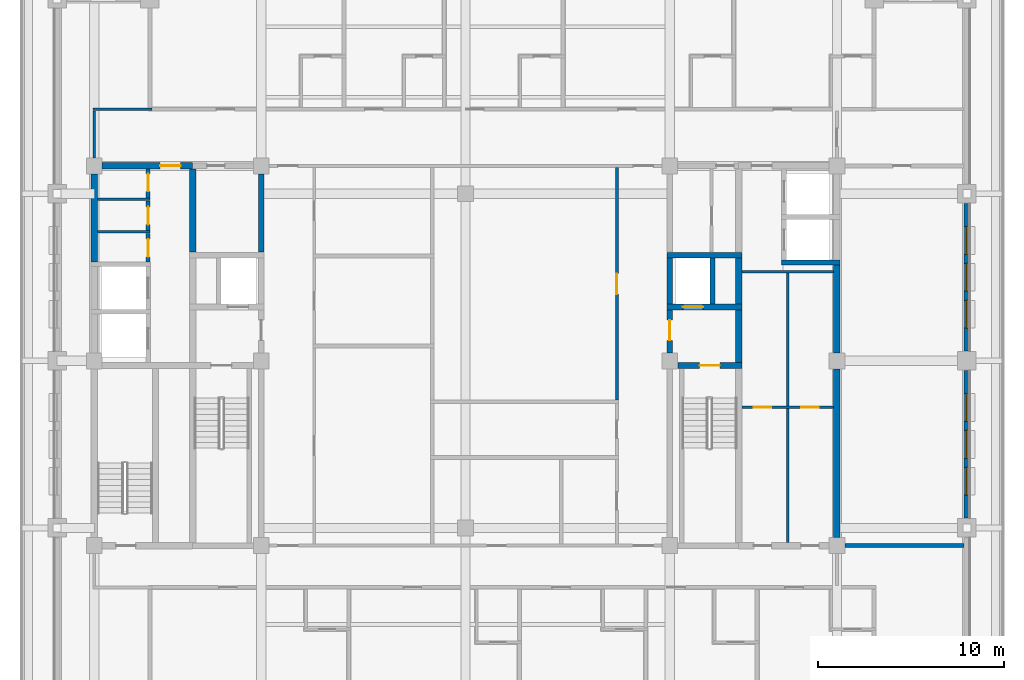
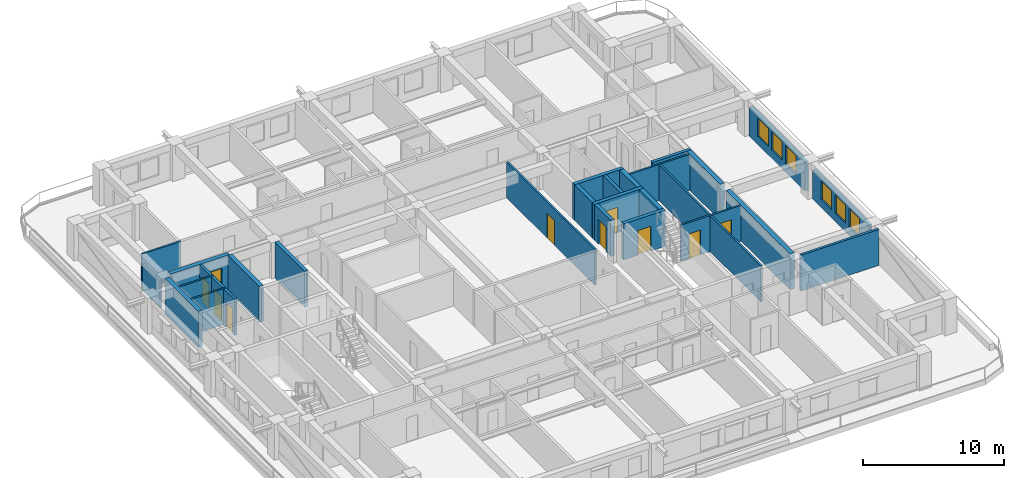
# One storey, part 5 of 15: 30 walls, 10 doors, 6 windows, 16 openings.
"""IFC4 building model written with IfcOpenShell, lengths in metres."""

from ifc_helpers import new_model, si_unit, direction, frame, frame_2d, origin, place, context, subcontext, project, spatial, rectangle, extrude, material, layer, layer_set, type_object, element, fill, save


model = new_model("IFC4")

# Units and contexts
model_context = context("Model", 3, precision=1e-05, world=origin(), true_north=direction((0.0, 1.0)))
body_context = subcontext(model_context, "Body", "Model", "MODEL_VIEW")
ifc_project = project(units=[si_unit("LENGTHUNIT", "METRE"), si_unit("AREAUNIT", "SQUARE_METRE"), si_unit("VOLUMEUNIT", "CUBIC_METRE"), si_unit("PLANEANGLEUNIT", "RADIAN"), si_unit("MASSUNIT", "GRAM", prefix="KILO")], contexts=[model_context])

# Site, building, storey
site_placement = place(None, origin())
site = spatial("IfcSite", under=ifc_project, at=site_placement, CompositionType="ELEMENT")
building_placement = place(site_placement, origin())
building = spatial("IfcBuilding", under=site, at=building_placement, Name="Zulmaris Gate Convention Tower", CompositionType="ELEMENT")
storey_placement = place(building_placement, frame((0.0, 0.0, 172.85986328125)))
storey = spatial("IfcBuildingStorey", under=building, at=storey_placement, Name="L44", CompositionType="ELEMENT", Elevation=172.85986328125)

# Walls
ifc_material_1 = material(Name="Concrete C50/60", Category="concrete")
ifc_layer_1 = layer(ifc_material_1, 0.25, Name="Concrete C50/60")
ifc_layer_set_1 = layer_set([ifc_layer_1], Name="Concrete C50/60")
wall_type_1 = type_object("IfcWallType", Name="CORE-250", PredefinedType="SOLIDWALL", material=ifc_layer_set_1)
wall_1_placement = place(storey_placement, frame((17.02490234375, 5.300048828125, 0.0), z_axis=(0.0, 0.0, 1.0), x_axis=(1.0, 0.0, 0.0)))
element("IfcWall", 1, at=wall_1_placement, inside=storey, type_object=wall_type_1, Name="WL-L44-011", PredefinedType="SOLIDWALL", context=body_context, shape_type="SweptSolid", body=[
    extrude(rectangle(XDim=3.150146484375, YDim=0.25, at=frame_2d((1.5751953125, 0.0))), origin(), (0.0, 0.0, 1.0), 3.125),
])
wall_2_placement = place(storey_placement, frame((13.300048828125, 3.052001953125, 0.0), z_axis=(0.0, 0.0, 1.0), x_axis=(0.0, 1.0, 0.0)))
element("IfcWall", 2, at=wall_2_placement, inside=storey, type_object=wall_type_1, Name="WL-L44-068", PredefinedType="SOLIDWALL", context=body_context, shape_type="SweptSolid", body=[
    extrude(rectangle(XDim=2.49609375, YDim=0.25, at=frame_2d((1.248046875, 0.0))), origin(), (0.0, 0.0, 1.0), 3.125),
])

# Wall, opening, door
ifc_layer_2 = layer(ifc_material_1, 0.300048828125, Name="Concrete C50/60")
ifc_layer_set_2 = layer_set([ifc_layer_2], Name="Concrete C50/60")
wall_type_2 = type_object("IfcWallType", Name="CORE-300", PredefinedType="SHEAR", material=ifc_layer_set_2)
wall_3_placement = place(storey_placement, frame((11.428955078125, -0.25, 0.0), z_axis=(0.0, 0.0, 1.0), x_axis=(1.0, 0.0, 0.0)))
wall_3 = element("IfcWall", 3, at=wall_3_placement, inside=storey, type_object=wall_type_2, Name="WL-L44-006", PredefinedType="SHEAR", context=body_context, shape_type="SweptSolid", body=[
    extrude(rectangle(XDim=3.446044921875, YDim=0.300048828125, at=frame_2d((1.72314453125, 0.0))), origin(), (0.0, 0.0, 1.0), 3.125),
])
opening_1_placement = place(wall_3_placement, frame((1.1708984375, 0.0, 0.0)))
opening_1 = element("IfcOpeningElement", 4, at=opening_1_placement, cuts=wall_3, Name="Opening D-08", PredefinedType="OPENING", context=body_context, shape_type="SweptSolid", body=[
    extrude(rectangle(XDim=1.10009765625, YDim=2.14990234375, at=frame_2d((0.550048828125, 1.074951171875))), frame((0.0, 0.16015625, 0.0), z_axis=(0.0, -1.0, 0.0), x_axis=(1.0, 0.0, 0.0)), (0.0, 0.0, 1.0), 0.320068359375),
])
ifc_material_2 = material(Name="Fire-Rated Steel", Category="steel")
door_type_1 = type_object("IfcDoorType", Name="DR-1100-FD", OperationType="NOTDEFINED", PredefinedType="DOOR", material=ifc_material_2)
door_1_placement = place(opening_1_placement, origin())
door_1 = element("IfcDoor", 5, at=door_1_placement, inside=storey, type_object=door_type_1, Name="L44 Exit Stair ST-2 Door 04", OperationType="SINGLE_SWING_RIGHT", OverallHeight=2.14990234375, OverallWidth=1.10009765625, PredefinedType="DOOR", context=body_context, shape_type="SweptSolid", body=[
    extrude(rectangle(XDim=1.10009765625, YDim=2.14990234375, at=frame_2d((0.550048828125, 1.074951171875))), frame((0.0, 0.02490234375, 0.0), z_axis=(0.0, -1.0, 0.0), x_axis=(1.0, 0.0, 0.0)), (0.0, 0.0, 1.0), 0.050048828125),
])
fill(opening_1, door_1)

wall_4_placement = place(storey_placement, frame((10.85009765625, 2.89990234375, 0.0), z_axis=(0.0, 0.0, 1.0), x_axis=(1.0, 0.0, 0.0)))
wall_4 = element("IfcWall", 6, at=wall_4_placement, inside=storey, type_object=wall_type_2, Name="WL-L44-009", PredefinedType="SHEAR", context=body_context, shape_type="SweptSolid", body=[
    extrude(rectangle(XDim=4.02490234375, YDim=0.300048828125, at=frame_2d((2.012451171875, 0.0))), origin(), (0.0, 0.0, 1.0), 3.125),
])
opening_2_placement = place(wall_4_placement, frame((0.85009765625, 0.0, 0.0)))
opening_2 = element("IfcOpeningElement", 7, at=opening_2_placement, cuts=wall_4, Name="Opening D-06", PredefinedType="OPENING", context=body_context, shape_type="SweptSolid", body=[
    extrude(rectangle(XDim=1.10009765625, YDim=2.199951171875, at=frame_2d((0.550048828125, 1.10009765625))), frame((0.0, 0.16015625, 0.0), z_axis=(0.0, -1.0, 0.0), x_axis=(1.0, 0.0, 0.0)), (0.0, 0.0, 1.0), 0.320068359375),
])
ifc_material_3 = material(Name="Brushed Stainless Steel", Category="steel")
door_type_2 = type_object("IfcDoorType", Name="LD-1100", OperationType="NOTDEFINED", PredefinedType="DOOR", material=ifc_material_3)
door_2_placement = place(opening_2_placement, origin())
door_2 = element("IfcDoor", 8, at=door_2_placement, inside=storey, type_object=door_type_2, Name="L44 Lift Landing Door LF-02 06", OperationType="SLIDING_TO_RIGHT", OverallHeight=2.199951171875, OverallWidth=1.10009765625, PredefinedType="DOOR", context=body_context, shape_type="SweptSolid", body=[
    extrude(rectangle(XDim=1.10009765625, YDim=2.199951171875, at=frame_2d((0.550048828125, 1.10009765625))), frame((0.0, 0.02490234375, 0.0), z_axis=(0.0, -1.0, 0.0), x_axis=(1.0, 0.0, 0.0)), (0.0, 0.0, 1.0), 0.050048828125),
])
fill(opening_2, door_2)

# Walls
wall_5_placement = place(storey_placement, frame((10.85009765625, 5.699951171875, 0.0), z_axis=(0.0, 0.0, 1.0), x_axis=(1.0, 0.0, 0.0)))
element("IfcWall", 9, at=wall_5_placement, inside=storey, type_object=wall_type_2, Name="WL-L44-013", PredefinedType="SHEAR", context=body_context, shape_type="SweptSolid", body=[
    extrude(rectangle(XDim=4.02490234375, YDim=0.300048828125, at=frame_2d((2.012451171875, 0.0))), origin(), (0.0, 0.0, 1.0), 3.125),
])
wall_6_placement = place(storey_placement, frame((-11.0, 5.85205078125, 0.0), z_axis=(0.0, 0.0, 1.0), x_axis=(0.0, 1.0, 0.0)))
element("IfcWall", 10, at=wall_6_placement, inside=storey, type_object=wall_type_2, Name="WL-L44-062", PredefinedType="SHEAR", context=body_context, shape_type="SweptSolid", body=[
    extrude(rectangle(XDim=4.218994140625, YDim=0.300048828125, at=frame_2d((2.109375, 0.0))), origin(), (0.0, 0.0, 1.0), 3.125),
])

# Wall, opening, door
wall_7_placement = place(storey_placement, frame((11.0, 0.428955078125, 0.0), z_axis=(0.0, 0.0, 1.0), x_axis=(0.0, 1.0, 0.0)))
wall_7 = element("IfcWall", 11, at=wall_7_placement, inside=storey, type_object=wall_type_2, Name="WL-L44-064", PredefinedType="SHEAR", context=body_context, shape_type="SweptSolid", body=[
    extrude(rectangle(XDim=2.319091796875, YDim=0.300048828125, at=frame_2d((1.15966796875, 0.0))), origin(), (0.0, 0.0, 1.0), 3.125),
])
opening_3_placement = place(wall_7_placement, frame((0.6708984375, 0.0, 0.0)))
opening_3 = element("IfcOpeningElement", 12, at=opening_3_placement, cuts=wall_7, Name="Opening D-08", PredefinedType="OPENING", context=body_context, shape_type="SweptSolid", body=[
    extrude(rectangle(XDim=1.10009765625, YDim=2.14990234375, at=frame_2d((0.550048828125, 1.074951171875))), frame((0.0, 0.16015625, 0.0), z_axis=(0.0, -1.0, 0.0), x_axis=(1.0, 0.0, 0.0)), (0.0, 0.0, 1.0), 0.320068359375),
])
door_3_placement = place(opening_3_placement, origin())
door_3 = element("IfcDoor", 13, at=door_3_placement, inside=storey, type_object=door_type_1, Name="L44 East Firefighting Lobby Door 05", OperationType="SINGLE_SWING_LEFT", OverallHeight=2.14990234375, OverallWidth=1.10009765625, PredefinedType="DOOR", context=body_context, shape_type="SweptSolid", body=[
    extrude(rectangle(XDim=1.10009765625, YDim=2.14990234375, at=frame_2d((0.550048828125, 1.074951171875))), frame((0.0, 0.02490234375, 0.0), z_axis=(0.0, -1.0, 0.0), x_axis=(1.0, 0.0, 0.0)), (0.0, 0.0, 1.0), 0.050048828125),
])
fill(opening_3, door_3)

# Wall
wall_8_placement = place(storey_placement, frame((11.0, 3.052001953125, 0.0), z_axis=(0.0, 0.0, 1.0), x_axis=(0.0, 1.0, 0.0)))
element("IfcWall", 14, at=wall_8_placement, inside=storey, type_object=wall_type_2, Name="WL-L44-065", PredefinedType="SHEAR", context=body_context, shape_type="SweptSolid", body=[
    extrude(rectangle(XDim=2.49609375, YDim=0.300048828125, at=frame_2d((1.248046875, 0.0))), origin(), (0.0, 0.0, 1.0), 3.125),
])

# Wall, opening, door
ifc_material_4 = material(Name="Concrete C55/67", Category="concrete")
ifc_layer_3 = layer(ifc_material_4, 0.35009765625, Name="Concrete C55/67")
ifc_layer_set_3 = layer_set([ifc_layer_3], Name="Concrete C55/67")
wall_type_3 = type_object("IfcWallType", Name="CORE-350", PredefinedType="SHEAR", material=ifc_layer_set_3)
wall_9_placement = place(storey_placement, frame((-19.571044921875, 10.5, 0.0), z_axis=(0.0, 0.0, 1.0), x_axis=(1.0, 0.0, 0.0)))
wall_9 = element("IfcWall", 15, at=wall_9_placement, inside=storey, type_object=wall_type_3, Name="WL-L44-015", PredefinedType="SHEAR", context=body_context, shape_type="SweptSolid", body=[
    extrude(rectangle(XDim=4.87109375, YDim=0.35009765625, at=frame_2d((2.435546875, 0.0))), origin(), (0.0, 0.0, 1.0), 3.125),
])
opening_4_placement = place(wall_9_placement, frame((3.12109375, 0.0, 0.0)))
opening_4 = element("IfcOpeningElement", 16, at=opening_4_placement, cuts=wall_9, Name="Opening D-08", PredefinedType="OPENING", context=body_context, shape_type="SweptSolid", body=[
    extrude(rectangle(XDim=1.10009765625, YDim=2.14990234375, at=frame_2d((0.550048828125, 1.074951171875))), frame((0.0, 0.18505859375, 0.0), z_axis=(0.0, -1.0, 0.0), x_axis=(1.0, 0.0, 0.0)), (0.0, 0.0, 1.0), 0.3701171875),
])
door_4_placement = place(opening_4_placement, origin())
door_4 = element("IfcDoor", 17, at=door_4_placement, inside=storey, type_object=door_type_1, Name="L44 High-Rise West Lift Lobby Door 13", OperationType="SINGLE_SWING_RIGHT", OverallHeight=2.14990234375, OverallWidth=1.10009765625, PredefinedType="DOOR", context=body_context, shape_type="SweptSolid", body=[
    extrude(rectangle(XDim=1.10009765625, YDim=2.14990234375, at=frame_2d((0.550048828125, 1.074951171875))), frame((0.0, 0.02490234375, 0.0), z_axis=(0.0, -1.0, 0.0), x_axis=(1.0, 0.0, 0.0)), (0.0, 0.0, 1.0), 0.050048828125),
])
fill(opening_4, door_4)

# Walls
wall_10_placement = place(storey_placement, frame((-20.0, 5.326904296875, 0.0), z_axis=(0.0, 0.0, 1.0), x_axis=(0.0, 1.0, 0.0)))
element("IfcWall", 18, at=wall_10_placement, inside=storey, type_object=wall_type_3, Name="WL-L44-049", PredefinedType="SHEAR", context=body_context, shape_type="SweptSolid", body=[
    extrude(rectangle(XDim=4.744140625, YDim=0.35009765625, at=frame_2d((2.3720703125, 0.0))), origin(), (0.0, 0.0, 1.0), 3.125),
])
wall_11_placement = place(storey_placement, frame((-14.699951171875, 5.85205078125, 0.0), z_axis=(0.0, 0.0, 1.0), x_axis=(0.0, 1.0, 0.0)))
element("IfcWall", 19, at=wall_11_placement, inside=storey, type_object=wall_type_3, Name="WL-L44-056", PredefinedType="SHEAR", context=body_context, shape_type="SweptSolid", body=[
    extrude(rectangle(XDim=4.470947265625, YDim=0.35009765625, at=frame_2d((2.2353515625, 0.0))), origin(), (0.0, 0.0, 1.0), 3.125),
])
wall_12_placement = place(storey_placement, frame((14.699951171875, -0.097900390625, 0.0), z_axis=(0.0, 0.0, 1.0), x_axis=(0.0, 1.0, 0.0)))
element("IfcWall", 20, at=wall_12_placement, inside=storey, type_object=wall_type_3, Name="WL-L44-070", PredefinedType="SHEAR", context=body_context, shape_type="SweptSolid", body=[
    extrude(rectangle(XDim=2.845947265625, YDim=0.35009765625, at=frame_2d((1.4228515625, 0.0))), origin(), (0.0, 0.0, 1.0), 3.125),
])
wall_13_placement = place(storey_placement, frame((14.699951171875, 3.052001953125, 0.0), z_axis=(0.0, 0.0, 1.0), x_axis=(0.0, 1.0, 0.0)))
element("IfcWall", 21, at=wall_13_placement, inside=storey, type_object=wall_type_3, Name="WL-L44-071", PredefinedType="SHEAR", context=body_context, shape_type="SweptSolid", body=[
    extrude(rectangle(XDim=2.49609375, YDim=0.35009765625, at=frame_2d((1.248046875, 0.0))), origin(), (0.0, 0.0, 1.0), 3.125),
])
wall_14_placement = place(storey_placement, frame((20.0, -9.52099609375, 0.0), z_axis=(0.0, 0.0, 1.0), x_axis=(0.0, 1.0, 0.0)))
element("IfcWall", 22, at=wall_14_placement, inside=storey, type_object=wall_type_3, Name="WL-L44-075", PredefinedType="SHEAR", context=body_context, shape_type="SweptSolid", body=[
    extrude(rectangle(XDim=9.092041015625, YDim=0.35009765625, at=frame_2d((4.5458984375, 0.0))), origin(), (0.0, 0.0, 1.0), 3.125),
])
wall_15_placement = place(storey_placement, frame((20.0, 0.428955078125, 0.0), z_axis=(0.0, 0.0, 1.0), x_axis=(0.0, 1.0, 0.0)))
element("IfcWall", 23, at=wall_15_placement, inside=storey, type_object=wall_type_3, Name="WL-L44-075S1", PredefinedType="SHEAR", context=body_context, shape_type="SweptSolid", body=[
    extrude(rectangle(XDim=4.744140625, YDim=0.35009765625, at=frame_2d((2.3720703125, 0.0))), origin(), (0.0, 0.0, 1.0), 3.125),
])

# Wall, openings, doors
ifc_material_5 = material(Name="Gypsum Metal Stud Partition")
ifc_layer_4 = layer(ifc_material_5, 0.14990234375, Name="Gypsum Metal Stud Partition")
ifc_layer_set_4 = layer_set([ifc_layer_4], Name="Gypsum Metal Stud Partition")
wall_type_4 = type_object("IfcWallType", Name="PART-150", PredefinedType="PARTITIONING", material=ifc_layer_set_4)
wall_16_placement = place(storey_placement, frame((14.8779296875, -2.5, 0.0), z_axis=(0.0, 0.0, 1.0), x_axis=(1.0, 0.0, 0.0)))
wall_16 = element("IfcWall", 24, at=wall_16_placement, inside=storey, type_object=wall_type_4, Name="WL-L44-029", PredefinedType="PARTITIONING", context=body_context, shape_type="SweptSolid", body=[
    extrude(rectangle(XDim=4.944091796875, YDim=0.14990234375, at=frame_2d((2.47216796875, 0.0))), origin(), (0.0, 0.0, 1.0), 3.125),
])
opening_5_placement = place(wall_16_placement, frame((0.64697265625, 0.0, 0.0)))
opening_5 = element("IfcOpeningElement", 25, at=opening_5_placement, cuts=wall_16, Name="Opening D-11", PredefinedType="OPENING", context=body_context, shape_type="SweptSolid", body=[
    extrude(rectangle(XDim=0.949951171875, YDim=2.14990234375, at=frame_2d((0.47509765625, 1.074951171875))), frame((0.0, 0.0849609375, 0.0), z_axis=(0.0, -1.0, 0.0), x_axis=(1.0, 0.0, 0.0)), (0.0, 0.0, 1.0), 0.169921875),
])
opening_6_placement = place(wall_16_placement, frame((3.197021484375, 0.0, 0.0)))
opening_6 = element("IfcOpeningElement", 26, at=opening_6_placement, cuts=wall_16, Name="Opening D-11", PredefinedType="OPENING", context=body_context, shape_type="SweptSolid", body=[
    extrude(rectangle(XDim=0.949951171875, YDim=2.14990234375, at=frame_2d((0.47509765625, 1.074951171875))), frame((0.0, 0.0849609375, 0.0), z_axis=(0.0, -1.0, 0.0), x_axis=(1.0, 0.0, 0.0)), (0.0, 0.0, 1.0), 0.169921875),
])
ifc_material_6 = material(Name="Fire-Rated Timber", Category="wood")
door_type_3 = type_object("IfcDoorType", Name="DR-950-FD", OperationType="NOTDEFINED", PredefinedType="DOOR", material=ifc_material_6)
door_5_placement = place(opening_5_placement, origin())
door_5 = element("IfcDoor", 27, at=door_5_placement, inside=storey, type_object=door_type_3, Name="L44 Locker Store Door 21", OperationType="SINGLE_SWING_RIGHT", OverallHeight=2.14990234375, OverallWidth=0.949951171875, PredefinedType="DOOR", context=body_context, shape_type="SweptSolid", body=[
    extrude(rectangle(XDim=0.949951171875, YDim=2.14990234375, at=frame_2d((0.47509765625, 1.074951171875))), frame((0.0, 0.02490234375, 0.0), z_axis=(0.0, -1.0, 0.0), x_axis=(1.0, 0.0, 0.0)), (0.0, 0.0, 1.0), 0.050048828125),
])
fill(opening_5, door_5)
door_6_placement = place(opening_6_placement, origin())
door_6 = element("IfcDoor", 28, at=door_6_placement, inside=storey, type_object=door_type_3, Name="L44 Ice Store Door 23", OperationType="SINGLE_SWING_RIGHT", OverallHeight=2.14990234375, OverallWidth=0.949951171875, PredefinedType="DOOR", context=body_context, shape_type="SweptSolid", body=[
    extrude(rectangle(XDim=0.949951171875, YDim=2.14990234375, at=frame_2d((0.47509765625, 1.074951171875))), frame((0.0, 0.02490234375, 0.0), z_axis=(0.0, -1.0, 0.0), x_axis=(1.0, 0.0, 0.0)), (0.0, 0.0, 1.0), 0.050048828125),
])
fill(opening_6, door_6)

# Walls
wall_17_placement = place(storey_placement, frame((14.8779296875, 4.800048828125, 0.0), z_axis=(0.0, 0.0, 1.0), x_axis=(1.0, 0.0, 0.0)))
element("IfcWall", 29, at=wall_17_placement, inside=storey, type_object=wall_type_4, Name="WL-L44-032", PredefinedType="PARTITIONING", context=body_context, shape_type="SweptSolid", body=[
    extrude(rectangle(XDim=4.944091796875, YDim=0.14990234375, at=frame_2d((2.47216796875, 0.0))), origin(), (0.0, 0.0, 1.0), 3.125),
])
for number, where, z_axis, x_axis, name in (
    (30, (-19.822021484375, 6.949951171875, 0.0), (0.0, 0.0, 1.0), (1.0, 0.0, 0.0), "WL-L44-034"),
    (31, (-19.822021484375, 8.699951171875, 0.0), (0.0, 0.0, 1.0), (1.0, 0.0, 0.0), "WL-L44-035"),
):
    element("IfcWall", number, at=place(storey_placement, frame(where, z_axis=z_axis, x_axis=x_axis)), inside=storey, type_object=wall_type_4, Name=name, PredefinedType="PARTITIONING", context=body_context, shape_type="SweptSolid", body=[
        extrude(rectangle(XDim=2.822021484375, YDim=0.14990234375, at=frame_2d((1.4111328125, 0.0))), origin(), (0.0, 0.0, 1.0), 3.125),
    ])
wall_18_placement = place(storey_placement, frame((-20.074951171875, 13.550048828125, 0.0), z_axis=(0.0, 0.0, 1.0), x_axis=(1.0, 0.0, 0.0)))
element("IfcWall", 32, at=wall_18_placement, inside=storey, type_object=wall_type_4, Name="WL-L44-038", PredefinedType="PARTITIONING", context=body_context, shape_type="SweptSolid", body=[
    extrude(rectangle(XDim=3.175048828125, YDim=0.14990234375, at=frame_2d((1.58740234375, 0.0))), origin(), (0.0, 0.0, 1.0), 3.125),
])
wall_19_placement = place(storey_placement, frame((-20.0, 10.930908203125, 0.0), z_axis=(0.0, 0.0, 1.0), x_axis=(0.0, 1.0, 0.0)))
element("IfcWall", 33, at=wall_19_placement, inside=storey, type_object=wall_type_4, Name="WL-L44-079", PredefinedType="PARTITIONING", context=body_context, shape_type="SweptSolid", body=[
    extrude(rectangle(XDim=2.541015625, YDim=0.14990234375, at=frame_2d((1.2705078125, 0.0))), origin(), (0.0, 0.0, 1.0), 2.31689453125),
])

# Wall, opening, door
wall_20_placement = place(storey_placement, frame((8.14990234375, -2.096923828125, 0.0), z_axis=(0.0, 0.0, 1.0), x_axis=(0.0, 1.0, 0.0)))
wall_20 = element("IfcWall", 34, at=wall_20_placement, inside=storey, type_object=wall_type_4, Name="WL-L44-112", PredefinedType="PARTITIONING", context=body_context, shape_type="SweptSolid", body=[
    extrude(rectangle(XDim=12.51904296875, YDim=0.14990234375, at=frame_2d((6.259521484375, 0.0))), origin(), (0.0, 0.0, 1.0), 3.125),
])
opening_7_placement = place(wall_20_placement, frame((5.697021484375, 0.0, 0.0)))
opening_7 = element("IfcOpeningElement", 35, at=opening_7_placement, cuts=wall_20, Name="Opening D-08", PredefinedType="OPENING", context=body_context, shape_type="SweptSolid", body=[
    extrude(rectangle(XDim=1.10009765625, YDim=2.14990234375, at=frame_2d((0.550048828125, 1.074951171875))), frame((0.0, 0.0849609375, 0.0), z_axis=(0.0, -1.0, 0.0), x_axis=(1.0, 0.0, 0.0)), (0.0, 0.0, 1.0), 0.169921875),
])
door_7_placement = place(opening_7_placement, origin())
door_7 = element("IfcDoor", 36, at=door_7_placement, inside=storey, type_object=door_type_1, Name="L44 Breakout Room Door 51", OperationType="SINGLE_SWING_RIGHT", OverallHeight=2.14990234375, OverallWidth=1.10009765625, PredefinedType="DOOR", context=body_context, shape_type="SweptSolid", body=[
    extrude(rectangle(XDim=1.10009765625, YDim=2.14990234375, at=frame_2d((0.550048828125, 1.074951171875))), frame((0.0, 0.02490234375, 0.0), z_axis=(0.0, -1.0, 0.0), x_axis=(1.0, 0.0, 0.0)), (0.0, 0.0, 1.0), 0.050048828125),
])
fill(opening_7, door_7)

# Walls
wall_21_placement = place(storey_placement, frame((17.35009765625, -9.77197265625, 0.0), z_axis=(0.0, 0.0, 1.0), x_axis=(0.0, 1.0, 0.0)))
element("IfcWall", 37, at=wall_21_placement, inside=storey, type_object=wall_type_4, Name="WL-L44-122", PredefinedType="PARTITIONING", context=body_context, shape_type="SweptSolid", body=[
    extrude(rectangle(XDim=7.194091796875, YDim=0.14990234375, at=frame_2d((3.59716796875, 0.0))), origin(), (0.0, 0.0, 1.0), 3.125),
])
wall_22_placement = place(storey_placement, frame((17.35009765625, -2.422119140625, 0.0), z_axis=(0.0, 0.0, 1.0), x_axis=(0.0, 1.0, 0.0)))
element("IfcWall", 38, at=wall_22_placement, inside=storey, type_object=wall_type_4, Name="WL-L44-123", PredefinedType="PARTITIONING", context=body_context, shape_type="SweptSolid", body=[
    extrude(rectangle(XDim=7.14404296875, YDim=0.14990234375, at=frame_2d((3.572021484375, 0.0))), origin(), (0.0, 0.0, 1.0), 3.125),
])
ifc_material_7 = material(Name="Autoclaved Aerated Concrete Block and Plasterboard", Category="concrete")
ifc_layer_5 = layer(ifc_material_7, 0.199951171875, Name="Autoclaved Aerated Concrete Block and Plasterboard")
ifc_layer_set_5 = layer_set([ifc_layer_5], Name="Autoclaved Aerated Concrete Block and Plasterboard")
wall_type_5 = type_object("IfcWallType", Name="PART-200", PredefinedType="PARTITIONING", material=ifc_layer_set_5)
wall_23_placement = place(storey_placement, frame((20.430908203125, -9.949951171875, 0.0), z_axis=(0.0, 0.0, 1.0), x_axis=(1.0, 0.0, 0.0)))
element("IfcWall", 39, at=wall_23_placement, inside=storey, type_object=wall_type_5, Name="WL-L44-027", PredefinedType="PARTITIONING", context=body_context, shape_type="SweptSolid", body=[
    extrude(rectangle(XDim=6.404052734375, YDim=0.199951171875, at=frame_2d((3.2021484375, 0.0))), origin(), (0.0, 0.0, 1.0), 3.125),
])

# Wall, opening, door
wall_24_placement = place(storey_placement, frame((-17.10009765625, 5.327880859375, 0.0), z_axis=(0.0, 0.0, 1.0), x_axis=(0.0, 1.0, 0.0)))
wall_24 = element("IfcWall", 40, at=wall_24_placement, inside=storey, type_object=wall_type_5, Name="WL-L44-080", PredefinedType="PARTITIONING", context=body_context, shape_type="SweptSolid", body=[
    extrude(rectangle(XDim=1.544189453125, YDim=0.199951171875, at=frame_2d((0.77197265625, 0.0))), origin(), (0.0, 0.0, 1.0), 3.125),
])
opening_8_placement = place(wall_24_placement, frame((0.277099609375, 0.0, 0.0)))
opening_8 = element("IfcOpeningElement", 41, at=opening_8_placement, cuts=wall_24, Name="Opening D-11", PredefinedType="OPENING", context=body_context, shape_type="SweptSolid", body=[
    extrude(rectangle(XDim=0.949951171875, YDim=2.14990234375, at=frame_2d((0.47509765625, 1.074951171875))), frame((0.0, 0.10986328125, 0.0), z_axis=(0.0, -1.0, 0.0), x_axis=(1.0, 0.0, 0.0)), (0.0, 0.0, 1.0), 0.219970703125),
])
door_8_placement = place(opening_8_placement, origin())
door_8 = element("IfcDoor", 42, at=door_8_placement, inside=storey, type_object=door_type_3, Name="L44 Linen Closet Door 16", OperationType="SINGLE_SWING_LEFT", OverallHeight=2.14990234375, OverallWidth=0.949951171875, PredefinedType="DOOR", context=body_context, shape_type="SweptSolid", body=[
    extrude(rectangle(XDim=0.949951171875, YDim=2.14990234375, at=frame_2d((0.47509765625, 1.074951171875))), frame((0.0, 0.02490234375, 0.0), z_axis=(0.0, -1.0, 0.0), x_axis=(1.0, 0.0, 0.0)), (0.0, 0.0, 1.0), 0.050048828125),
])
fill(opening_8, door_8)

wall_25_placement = place(storey_placement, frame((-17.10009765625, 7.028076171875, 0.0), z_axis=(0.0, 0.0, 1.0), x_axis=(0.0, 1.0, 0.0)))
wall_25 = element("IfcWall", 43, at=wall_25_placement, inside=storey, type_object=wall_type_5, Name="WL-L44-081", PredefinedType="PARTITIONING", context=body_context, shape_type="SweptSolid", body=[
    extrude(rectangle(XDim=1.593994140625, YDim=0.199951171875, at=frame_2d((0.796875, 0.0))), origin(), (0.0, 0.0, 1.0), 3.125),
])
opening_9_placement = place(wall_25_placement, frame((0.31689453125, 0.0, 0.0)))
opening_9 = element("IfcOpeningElement", 44, at=opening_9_placement, cuts=wall_25, Name="Opening D-11", PredefinedType="OPENING", context=body_context, shape_type="SweptSolid", body=[
    extrude(rectangle(XDim=0.949951171875, YDim=2.14990234375, at=frame_2d((0.47509765625, 1.074951171875))), frame((0.0, 0.10986328125, 0.0), z_axis=(0.0, -1.0, 0.0), x_axis=(1.0, 0.0, 0.0)), (0.0, 0.0, 1.0), 0.219970703125),
])
door_9_placement = place(opening_9_placement, origin())
door_9 = element("IfcDoor", 45, at=door_9_placement, inside=storey, type_object=door_type_3, Name="L44 Ice Pantry Door 15", OperationType="SINGLE_SWING_RIGHT", OverallHeight=2.14990234375, OverallWidth=0.949951171875, PredefinedType="DOOR", context=body_context, shape_type="SweptSolid", body=[
    extrude(rectangle(XDim=0.949951171875, YDim=2.14990234375, at=frame_2d((0.47509765625, 1.074951171875))), frame((0.0, 0.02490234375, 0.0), z_axis=(0.0, -1.0, 0.0), x_axis=(1.0, 0.0, 0.0)), (0.0, 0.0, 1.0), 0.050048828125),
])
fill(opening_9, door_9)

wall_26_placement = place(storey_placement, frame((-17.10009765625, 8.778076171875, 0.0), z_axis=(0.0, 0.0, 1.0), x_axis=(0.0, 1.0, 0.0)))
wall_26 = element("IfcWall", 46, at=wall_26_placement, inside=storey, type_object=wall_type_5, Name="WL-L44-082", PredefinedType="PARTITIONING", context=body_context, shape_type="SweptSolid", body=[
    extrude(rectangle(XDim=1.5439453125, YDim=0.199951171875, at=frame_2d((0.77197265625, 0.0))), origin(), (0.0, 0.0, 1.0), 3.125),
])
opening_10_placement = place(wall_26_placement, frame((0.346923828125, 0.0, 0.0)))
opening_10 = element("IfcOpeningElement", 47, at=opening_10_placement, cuts=wall_26, Name="Opening D-11", PredefinedType="OPENING", context=body_context, shape_type="SweptSolid", body=[
    extrude(rectangle(XDim=0.949951171875, YDim=2.14990234375, at=frame_2d((0.47509765625, 1.074951171875))), frame((0.0, 0.10986328125, 0.0), z_axis=(0.0, -1.0, 0.0), x_axis=(1.0, 0.0, 0.0)), (0.0, 0.0, 1.0), 0.219970703125),
])
door_10_placement = place(opening_10_placement, origin())
door_10 = element("IfcDoor", 48, at=door_10_placement, inside=storey, type_object=door_type_3, Name="L44 Housekeeping Door 14", OperationType="SINGLE_SWING_LEFT", OverallHeight=2.14990234375, OverallWidth=0.949951171875, PredefinedType="DOOR", context=body_context, shape_type="SweptSolid", body=[
    extrude(rectangle(XDim=0.949951171875, YDim=2.14990234375, at=frame_2d((0.47509765625, 1.074951171875))), frame((0.0, 0.02490234375, 0.0), z_axis=(0.0, -1.0, 0.0), x_axis=(1.0, 0.0, 0.0)), (0.0, 0.0, 1.0), 0.050048828125),
])
fill(opening_10, door_10)

# Wall, openings, windows
ifc_material_8 = material(Name="Precast concrete C40/50", Category="concrete")
ifc_layer_6 = layer(ifc_material_8, 0.300048828125, Name="Precast concrete C40/50")
ifc_layer_set_6 = layer_set([ifc_layer_6], Name="Precast concrete C40/50")
wall_type_6 = type_object("IfcWallType", Name="PRECAST-PIER-300", PredefinedType="STANDARD", material=ifc_layer_set_6)
wall_27_placement = place(storey_placement, frame((27.0, -8.469970703125, 0.0), z_axis=(0.0, 0.0, 1.0), x_axis=(0.0, 1.0, 0.0)))
wall_27 = element("IfcWall", 49, at=wall_27_placement, inside=storey, type_object=wall_type_6, Name="EW-L44-E-1_0", PredefinedType="STANDARD", context=body_context, shape_type="SweptSolid", body=[
    extrude(rectangle(XDim=7.93994140625, YDim=0.300048828125, at=frame_2d((3.969970703125, 0.0))), origin(), (0.0, 0.0, 1.0), 2.516845703125),
])
opening_11_placement = place(wall_27_placement, frame((1.235107421875, 0.0, 0.719970703125)))
opening_11 = element("IfcOpeningElement", 50, at=opening_11_placement, cuts=wall_27, Name="Opening W-03", PredefinedType="OPENING", context=body_context, shape_type="SweptSolid", body=[
    extrude(rectangle(XDim=1.5, YDim=1.60009765625, at=frame_2d((0.75, 0.800048828125))), frame((0.0, 0.16015625, 0.0), z_axis=(0.0, -1.0, 0.0), x_axis=(1.0, 0.0, 0.0)), (0.0, 0.0, 1.0), 0.320068359375),
])
opening_12_placement = place(wall_27_placement, frame((3.219970703125, 0.0, 0.719970703125)))
opening_12 = element("IfcOpeningElement", 51, at=opening_12_placement, cuts=wall_27, Name="Opening W-03", PredefinedType="OPENING", context=body_context, shape_type="SweptSolid", body=[
    extrude(rectangle(XDim=1.5, YDim=1.60009765625, at=frame_2d((0.75, 0.800048828125))), frame((0.0, 0.16015625, 0.0), z_axis=(0.0, -1.0, 0.0), x_axis=(1.0, 0.0, 0.0)), (0.0, 0.0, 1.0), 0.320068359375),
])
opening_13_placement = place(wall_27_placement, frame((5.205078125, 0.0, 0.719970703125)))
opening_13 = element("IfcOpeningElement", 52, at=opening_13_placement, cuts=wall_27, Name="Opening W-03", PredefinedType="OPENING", context=body_context, shape_type="SweptSolid", body=[
    extrude(rectangle(XDim=1.5, YDim=1.60009765625, at=frame_2d((0.75, 0.800048828125))), frame((0.0, 0.16015625, 0.0), z_axis=(0.0, -1.0, 0.0), x_axis=(1.0, 0.0, 0.0)), (0.0, 0.0, 1.0), 0.320068359375),
])
ifc_material_9 = material(Name="Low-E Laminated Double Glazing in Aluminium Frame", Category="aluminium")
window_type = type_object("IfcWindowType", Name="WIN-1500x2100", PartitioningType="SINGLE_PANEL", PredefinedType="WINDOW", material=ifc_material_9)
window_1_placement = place(opening_11_placement, origin())
window_1 = element("IfcWindow", 53, at=window_1_placement, inside=storey, type_object=window_type, Name="WN-EW-L44-E-1_0-1", OverallHeight=1.60009765625, OverallWidth=1.5, PartitioningType="SINGLE_PANEL", PredefinedType="WINDOW", context=body_context, shape_type="SweptSolid", body=[
    extrude(rectangle(XDim=1.5, YDim=1.60009765625, at=frame_2d((0.75, 0.800048828125))), frame((0.0, 0.030029296875, 0.0), z_axis=(0.0, -1.0, 0.0), x_axis=(1.0, 0.0, 0.0)), (0.0, 0.0, 1.0), 0.06005859375),
])
fill(opening_11, window_1)
window_2_placement = place(opening_12_placement, origin())
window_2 = element("IfcWindow", 54, at=window_2_placement, inside=storey, type_object=window_type, Name="WN-EW-L44-E-1_0-2", OverallHeight=1.60009765625, OverallWidth=1.5, PartitioningType="SINGLE_PANEL", PredefinedType="WINDOW", context=body_context, shape_type="SweptSolid", body=[
    extrude(rectangle(XDim=1.5, YDim=1.60009765625, at=frame_2d((0.75, 0.800048828125))), frame((0.0, 0.030029296875, 0.0), z_axis=(0.0, -1.0, 0.0), x_axis=(1.0, 0.0, 0.0)), (0.0, 0.0, 1.0), 0.06005859375),
])
fill(opening_12, window_2)
window_3_placement = place(opening_13_placement, origin())
window_3 = element("IfcWindow", 55, at=window_3_placement, inside=storey, type_object=window_type, Name="WN-EW-L44-E-1_0-3", OverallHeight=1.60009765625, OverallWidth=1.5, PartitioningType="SINGLE_PANEL", PredefinedType="WINDOW", context=body_context, shape_type="SweptSolid", body=[
    extrude(rectangle(XDim=1.5, YDim=1.60009765625, at=frame_2d((0.75, 0.800048828125))), frame((0.0, 0.030029296875, 0.0), z_axis=(0.0, -1.0, 0.0), x_axis=(1.0, 0.0, 0.0)), (0.0, 0.0, 1.0), 0.06005859375),
])
fill(opening_13, window_3)

wall_28_placement = place(storey_placement, frame((27.0, 0.530029296875, 0.0), z_axis=(0.0, 0.0, 1.0), x_axis=(0.0, 1.0, 0.0)))
wall_28 = element("IfcWall", 56, at=wall_28_placement, inside=storey, type_object=wall_type_6, Name="EW-L44-E-2_0", PredefinedType="STANDARD", context=body_context, shape_type="SweptSolid", body=[
    extrude(rectangle(XDim=7.93994140625, YDim=0.300048828125, at=frame_2d((3.969970703125, 0.0))), origin(), (0.0, 0.0, 1.0), 2.516845703125),
])
opening_14_placement = place(wall_28_placement, frame((1.235107421875, 0.0, 0.719970703125)))
opening_14 = element("IfcOpeningElement", 57, at=opening_14_placement, cuts=wall_28, Name="Opening W-03", PredefinedType="OPENING", context=body_context, shape_type="SweptSolid", body=[
    extrude(rectangle(XDim=1.5, YDim=1.60009765625, at=frame_2d((0.75, 0.800048828125))), frame((0.0, 0.16015625, 0.0), z_axis=(0.0, -1.0, 0.0), x_axis=(1.0, 0.0, 0.0)), (0.0, 0.0, 1.0), 0.320068359375),
])
opening_15_placement = place(wall_28_placement, frame((3.219970703125, 0.0, 0.719970703125)))
opening_15 = element("IfcOpeningElement", 58, at=opening_15_placement, cuts=wall_28, Name="Opening W-03", PredefinedType="OPENING", context=body_context, shape_type="SweptSolid", body=[
    extrude(rectangle(XDim=1.5, YDim=1.60009765625, at=frame_2d((0.75, 0.800048828125))), frame((0.0, 0.16015625, 0.0), z_axis=(0.0, -1.0, 0.0), x_axis=(1.0, 0.0, 0.0)), (0.0, 0.0, 1.0), 0.320068359375),
])
opening_16_placement = place(wall_28_placement, frame((5.205078125, 0.0, 0.719970703125)))
opening_16 = element("IfcOpeningElement", 59, at=opening_16_placement, cuts=wall_28, Name="Opening W-03", PredefinedType="OPENING", context=body_context, shape_type="SweptSolid", body=[
    extrude(rectangle(XDim=1.5, YDim=1.60009765625, at=frame_2d((0.75, 0.800048828125))), frame((0.0, 0.16015625, 0.0), z_axis=(0.0, -1.0, 0.0), x_axis=(1.0, 0.0, 0.0)), (0.0, 0.0, 1.0), 0.320068359375),
])
window_4_placement = place(opening_14_placement, origin())
window_4 = element("IfcWindow", 60, at=window_4_placement, inside=storey, type_object=window_type, Name="WN-EW-L44-E-2_0-1", OverallHeight=1.60009765625, OverallWidth=1.5, PartitioningType="SINGLE_PANEL", PredefinedType="WINDOW", context=body_context, shape_type="SweptSolid", body=[
    extrude(rectangle(XDim=1.5, YDim=1.60009765625, at=frame_2d((0.75, 0.800048828125))), frame((0.0, 0.030029296875, 0.0), z_axis=(0.0, -1.0, 0.0), x_axis=(1.0, 0.0, 0.0)), (0.0, 0.0, 1.0), 0.06005859375),
])
fill(opening_14, window_4)
window_5_placement = place(opening_15_placement, origin())
window_5 = element("IfcWindow", 61, at=window_5_placement, inside=storey, type_object=window_type, Name="WN-EW-L44-E-2_0-2", OverallHeight=1.60009765625, OverallWidth=1.5, PartitioningType="SINGLE_PANEL", PredefinedType="WINDOW", context=body_context, shape_type="SweptSolid", body=[
    extrude(rectangle(XDim=1.5, YDim=1.60009765625, at=frame_2d((0.75, 0.800048828125))), frame((0.0, 0.030029296875, 0.0), z_axis=(0.0, -1.0, 0.0), x_axis=(1.0, 0.0, 0.0)), (0.0, 0.0, 1.0), 0.06005859375),
])
fill(opening_15, window_5)
window_6_placement = place(opening_16_placement, origin())
window_6 = element("IfcWindow", 62, at=window_6_placement, inside=storey, type_object=window_type, Name="WN-EW-L44-E-2_0-3", OverallHeight=1.60009765625, OverallWidth=1.5, PartitioningType="SINGLE_PANEL", PredefinedType="WINDOW", context=body_context, shape_type="SweptSolid", body=[
    extrude(rectangle(XDim=1.5, YDim=1.60009765625, at=frame_2d((0.75, 0.800048828125))), frame((0.0, 0.030029296875, 0.0), z_axis=(0.0, -1.0, 0.0), x_axis=(1.0, 0.0, 0.0)), (0.0, 0.0, 1.0), 0.06005859375),
])
fill(opening_16, window_6)

save(model, "model.ifc")
